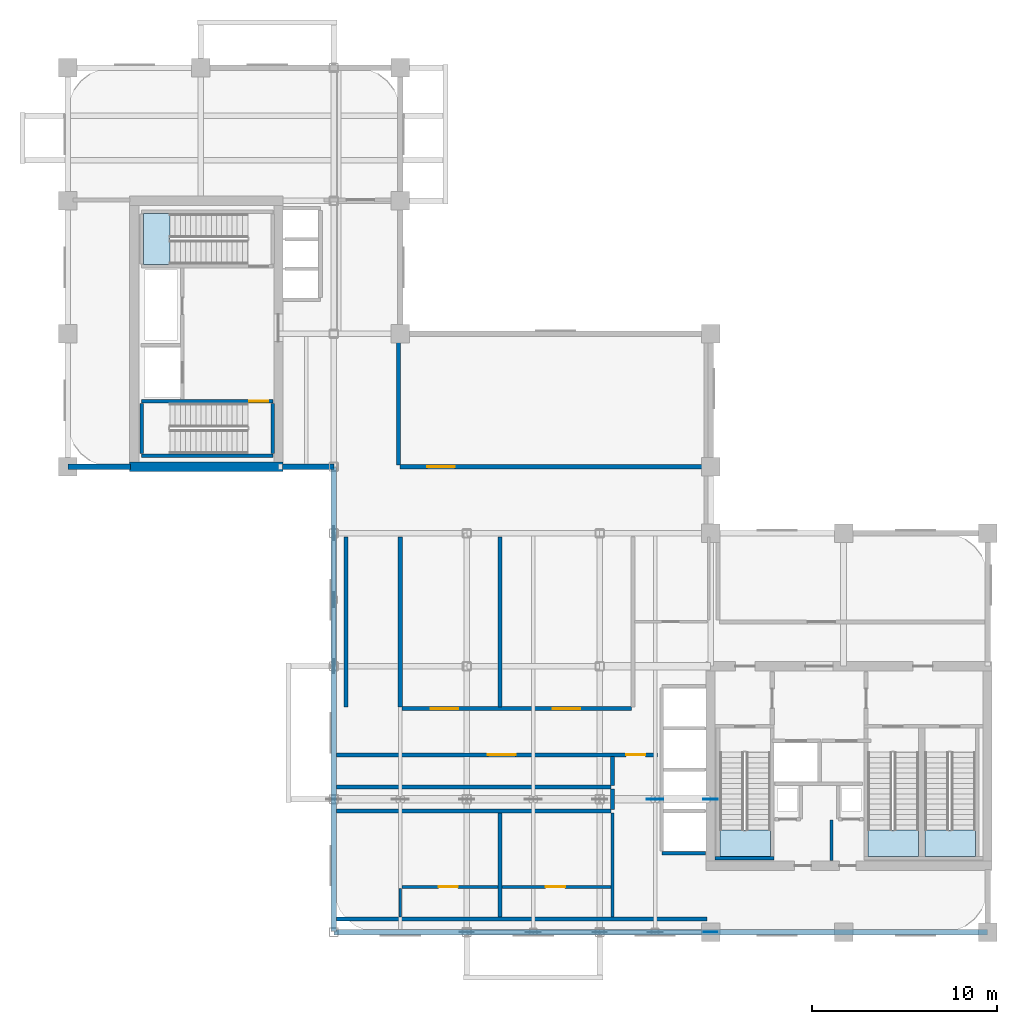
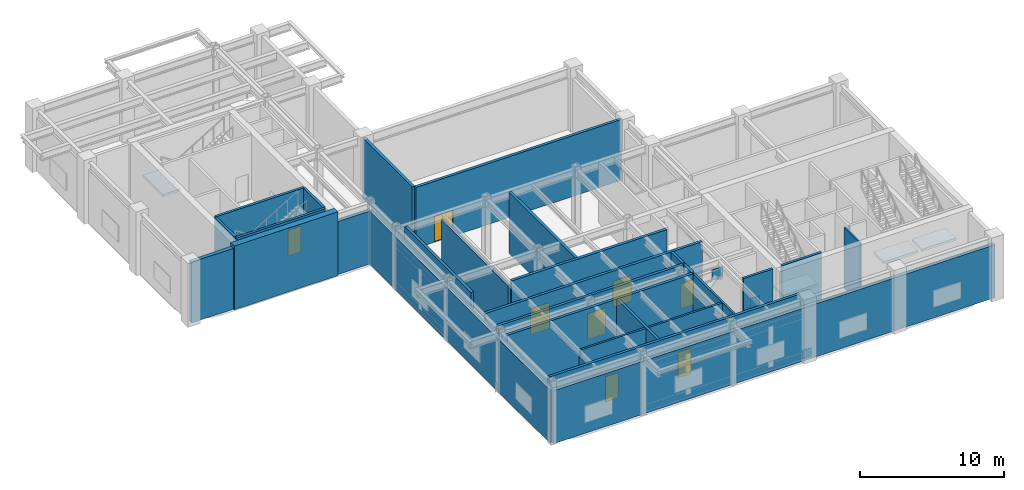
# One storey, part 5 of 10: 28 walls, 8 doors, 4 slabs, 3 plates, 8 openings, 4 elements without a shape of their own.
"""IFC4 building model written with IfcOpenShell, lengths in metres."""

from ifc_helpers import new_model, si_unit, derived_unit, direction, frame, frame_2d, origin, origin_2d, place, context, subcontext, project, spatial, polyline, rectangle, outline, extrude, source, transform, mapped, material, layer, layer_set, type_object, type_shapes, element, fill, aggregate, save


model = new_model("IFC4")

# Units and contexts
model_context = context("Model", 3, precision=1e-05, world=origin(), true_north=direction((0.0, 1.0)))
body_context = subcontext(model_context, "Body", "Model", "MODEL_VIEW")
ifc_project = project(units=[si_unit("LENGTHUNIT", "METRE"), si_unit("AREAUNIT", "SQUARE_METRE"), si_unit("VOLUMEUNIT", "CUBIC_METRE"), si_unit("PLANEANGLEUNIT", "RADIAN"), si_unit("MASSUNIT", "GRAM", prefix="KILO"), si_unit("THERMODYNAMICTEMPERATUREUNIT", "KELVIN"), si_unit("POWERUNIT", "WATT"), derived_unit("THERMALTRANSMITTANCEUNIT", [(si_unit("POWERUNIT", "WATT"), 1), (si_unit("AREAUNIT", "SQUARE_METRE"), -1), (si_unit("THERMODYNAMICTEMPERATUREUNIT", "KELVIN"), -1)])], contexts=[model_context])

# Site, building, storey
site_placement = place(None, origin())
site = spatial("IfcSite", under=ifc_project, at=site_placement, CompositionType="ELEMENT")
building_placement = place(site_placement, origin())
building = spatial("IfcBuilding", under=site, at=building_placement, Name="Zahravan Archway Hotel and Residences", CompositionType="ELEMENT")
storey_placement = place(building_placement, frame((0.0, 0.0, 196.5)))
storey = spatial("IfcBuildingStorey", under=building, at=storey_placement, Name="L49", CompositionType="ELEMENT", Elevation=196.5)

# Stair, slab
ifc_material_1 = material(Name="Concrete C50/60", Category="concrete")
stair_type = type_object("IfcStairType", Name="STR-CORE-1300", PredefinedType="HALF_TURN_STAIR", material=ifc_material_1)
stair_1_placement = place(storey_placement, origin())
stair_1 = element("IfcStair", 1, at=stair_1_placement, inside=storey, type_object=stair_type, Name="L49 Core A Exit Stair 1", PredefinedType="HALF_TURN_STAIR")
ifc_layer_1 = layer(ifc_material_1, 0.199951171875, Name="Concrete C50/60", Category="concrete")
ifc_layer_set_1 = layer_set([ifc_layer_1], Name="Concrete C50/60")
slab_type = type_object("IfcSlabType", Name="SLB-LND-200", PredefinedType="LANDING", material=ifc_layer_set_1)
slab_1_placement = place(storey_placement, frame((0.0, 0.0, 2.5)))
slab_1 = element("IfcSlab", 2, at=slab_1_placement, type_object=slab_type, Name="ST-A1 landing 1", PredefinedType="LANDING", context=body_context, shape_type="SweptSolid", body=[
    extrude(outline(polyline([(35.300048828125, 5.530029296875), (35.300048828125, 4.10009765625), (38.0400390625, 4.10009765625), (38.0400390625, 5.530029296875), (35.300048828125, 5.530029296875)])), origin(), (0.0, 0.0, 1.0), 0.199951171875),
])
aggregate(stair_1, [slab_1])

stair_2_placement = place(storey_placement, origin())
stair_2 = element("IfcStair", 3, at=stair_2_placement, inside=storey, type_object=stair_type, Name="L49 Core A Exit Stair 2", PredefinedType="HALF_TURN_STAIR")
slab_2_placement = place(storey_placement, frame((0.0, 0.0, 2.5)))
slab_2 = element("IfcSlab", 4, at=slab_2_placement, type_object=slab_type, Name="ST-A2 landing 1", PredefinedType="LANDING", context=body_context, shape_type="SweptSolid", body=[
    extrude(outline(polyline([(43.320068359375, 5.530029296875), (43.320068359375, 4.10009765625), (46.06005859375, 4.10009765625), (46.06005859375, 5.530029296875), (43.320068359375, 5.530029296875)])), origin(), (0.0, 0.0, 1.0), 0.199951171875),
])
aggregate(stair_2, [slab_2])

stair_3_placement = place(storey_placement, origin())
stair_3 = element("IfcStair", 5, at=stair_3_placement, inside=storey, type_object=stair_type, Name="L49 Core A Exit Stair 3", PredefinedType="HALF_TURN_STAIR")
slab_3_placement = place(storey_placement, frame((0.0, 0.0, 2.5)))
slab_3 = element("IfcSlab", 6, at=slab_3_placement, type_object=slab_type, Name="ST-A3 landing 1", PredefinedType="LANDING", context=body_context, shape_type="SweptSolid", body=[
    extrude(outline(polyline([(46.39990234375, 5.530029296875), (46.39990234375, 4.10009765625), (49.139892578125, 4.10009765625), (49.139892578125, 5.530029296875), (46.39990234375, 5.530029296875)])), origin(), (0.0, 0.0, 1.0), 0.199951171875),
])
aggregate(stair_3, [slab_3])

stair_4_placement = place(storey_placement, origin())
stair_4 = element("IfcStair", 7, at=stair_4_placement, inside=storey, type_object=stair_type, Name="L49 Core B Exit Stair 2", PredefinedType="HALF_TURN_STAIR")
slab_4_placement = place(storey_placement, frame((0.0, 0.0, 2.5)))
slab_4 = element("IfcSlab", 8, at=slab_4_placement, type_object=slab_type, Name="ST-B2 landing 1", PredefinedType="LANDING", context=body_context, shape_type="SweptSolid", body=[
    extrude(outline(polyline([(5.530029296875, 38.89990234375), (4.10009765625, 38.89990234375), (4.10009765625, 36.159912109375), (5.530029296875, 36.159912109375), (5.530029296875, 38.89990234375)])), origin(), (0.0, 0.0, 1.0), 0.199951171875),
])
aggregate(stair_4, [slab_4])

# Plates
ifc_material_2 = material(Name="Structural Steel S355J2", Category="steel")
ifc_layer_2 = layer(ifc_material_2, 0.035888671875, Name="Structural Steel S355J2", Category="steel")
ifc_layer_set_2 = layer_set([ifc_layer_2], Name="Structural Steel S355J2")
plate_type_1 = type_object("IfcPlateType", Name="PLT-GUS-ON2", PredefinedType="USERDEFINED", material=ifc_layer_set_2)
shared_shape_1 = source(origin(), body_context, "Body", "SweptSolid", [
    extrude(rectangle(XDim=0.800048828125, YDim=0.035888671875, at=origin_2d()), origin(), (0.0, 0.0, 1.0), 0.800048828125),
])
type_shapes(plate_type_1, [shared_shape_1])
plate_1_placement = place(storey_placement, frame((34.800048828125, 7.199951171875, 0.0498046875), z_axis=(0.0, 0.0, 1.0), x_axis=(1.0, 0.0, 0.0)))
element("IfcPlate", 9, at=plate_1_placement, inside=storey, type_object=plate_type_1, Name="L49 Outrigger End Gusset Plate ON2-3-R", ObjectType="GUSSET", PredefinedType="USERDEFINED", context=body_context, shape_type="MappedRepresentation", body=[
    mapped(shared_shape_1, transform((0.0, 0.0, 0.0), scale=1.0)),
])
ifc_layer_3 = layer(ifc_material_2, 0.035888671875, Name="Structural Steel S355J2", Category="steel")
ifc_layer_set_3 = layer_set([ifc_layer_3], Name="Structural Steel S355J2")
plate_type_2 = type_object("IfcPlateType", Name="PLT-GUS-ON1", PredefinedType="USERDEFINED", material=ifc_layer_set_3)
shared_shape_2 = source(origin(), body_context, "Body", "SweptSolid", [
    extrude(rectangle(XDim=0.89990234375, YDim=0.035888671875, at=origin_2d()), origin(), (0.0, 0.0, 1.0), 0.89990234375),
])
type_shapes(plate_type_2, [shared_shape_2])
plate_2_placement = place(storey_placement, frame((31.800048828125, 7.199951171875, 3.449951171875), z_axis=(0.0, 0.0, 1.0), x_axis=(1.0, 0.0, 0.0)))
element("IfcPlate", 10, at=plate_2_placement, inside=storey, type_object=plate_type_2, Name="L49 Outrigger Apex Gusset Plate ON1-3", ObjectType="GUSSET", PredefinedType="USERDEFINED", context=body_context, shape_type="MappedRepresentation", body=[
    mapped(shared_shape_2, transform((0.0, 0.0, 0.0), scale=1.0)),
])
ifc_layer_4 = layer(ifc_material_2, 0.031982421875, Name="Structural Steel S355J2", Category="steel")
ifc_layer_set_4 = layer_set([ifc_layer_4], Name="Structural Steel S355J2")
plate_type_3 = type_object("IfcPlateType", Name="PLT-GUS-BN2", PredefinedType="USERDEFINED", material=ifc_layer_set_4)
shared_shape_3 = source(origin(), body_context, "Body", "SweptSolid", [
    extrude(rectangle(XDim=0.75, YDim=0.031982421875, at=origin_2d()), origin(), (0.0, 0.0, 1.0), 0.75),
])
type_shapes(plate_type_3, [shared_shape_3])
plate_3_placement = place(storey_placement, frame((34.800048828125, 0.0, 0.074951171875), z_axis=(0.0, 0.0, 1.0), x_axis=(1.0, 0.0, 0.0)))
element("IfcPlate", 11, at=plate_3_placement, inside=storey, type_object=plate_type_3, Name="L49 Belt Truss End Gusset Plate BN2-2-B", ObjectType="GUSSET", PredefinedType="USERDEFINED", context=body_context, shape_type="MappedRepresentation", body=[
    mapped(shared_shape_3, transform((0.0, 0.0, 0.0), scale=1.0)),
])

# Walls
ifc_material_3 = material(Name="Concrete C60/75", Category="concrete")
ifc_layer_5 = layer(ifc_material_3, 0.5, Name="Concrete C60/75", Category="concrete")
ifc_layer_set_5 = layer_set([ifc_layer_5], Name="Concrete C60/75")
wall_type_1 = type_object("IfcWallType", Name="CW-CORE-500", PredefinedType="SHEAR", material=ifc_layer_set_5)
wall_1_placement = place(storey_placement, frame((3.35009765625, 25.199951171875, 0.0), z_axis=(0.0, 0.0, 1.0), x_axis=(1.0, 0.0, 0.0)))
element("IfcWall", 12, at=wall_1_placement, inside=storey, type_object=wall_type_1, Name="L49 Core B Shear S Wall 500 mm", PredefinedType="SHEAR", context=body_context, shape_type="SweptSolid", body=[
    extrude(rectangle(XDim=8.2998046875, YDim=0.5, at=frame_2d((4.14990234375, 0.0))), origin(), (0.0, 0.0, 1.0), 5.39990234375),
])
ifc_material_4 = material(Name="Acoustic Louvred Sandstone Backup Wall", Category="masonry")
ifc_layer_6 = layer(ifc_material_4, 0.300048828125, Name="Acoustic Louvred Sandstone Backup Wall", Category="masonry")
ifc_layer_set_6 = layer_set([ifc_layer_6], Name="Acoustic Louvred Sandstone Backup Wall")
wall_type_2 = type_object("IfcWallType", Name="EW-REF-300", PredefinedType="SOLIDWALL", material=ifc_layer_set_6)
wall_2_placement = place(storey_placement, frame((14.39990234375, 0.0, 0.0), z_axis=(0.0, 0.0, 1.0), x_axis=(1.0, 0.0, 0.0)))
element("IfcWall", 13, at=wall_2_placement, inside=storey, type_object=wall_type_2, Name="L49 Exterior Sandstone Wall WA-S", PredefinedType="SOLIDWALL", context=body_context, shape_type="SweptSolid", body=[
    extrude(rectangle(XDim=35.400146484375, YDim=0.300048828125, at=frame_2d((17.7001953125, 0.0))), origin(), (0.0, 0.0, 1.0), 4.485107421875),
])
wall_3_placement = place(storey_placement, frame((14.39990234375, 0.050048828125, 0.0), z_axis=(0.0, 0.0, 1.0), x_axis=(0.0, 1.0, 0.0)))
element("IfcWall", 14, at=wall_3_placement, inside=storey, type_object=wall_type_2, Name="L49 Exterior Sandstone Wall WA-WL", PredefinedType="SOLIDWALL", context=body_context, shape_type="SweptSolid", body=[
    extrude(rectangle(XDim=25.099853515625, YDim=0.300048828125, at=frame_2d((12.5498046875, 0.0))), origin(), (0.0, 0.0, 1.0), 4.485107421875),
])
wall_4_placement = place(storey_placement, frame((11.6201171875, 25.199951171875, 0.0), z_axis=(0.0, 0.0, 1.0), x_axis=(1.0, 0.0, 0.0)))
element("IfcWall", 15, at=wall_4_placement, inside=storey, type_object=wall_type_2, Name="L49 Exterior Sandstone Wall WB-SE", PredefinedType="SOLIDWALL", context=body_context, shape_type="SweptSolid", body=[
    extrude(rectangle(XDim=2.77978515625, YDim=0.300048828125, at=frame_2d((1.389892578125, 0.0))), origin(), (0.0, 0.0, 1.0), 4.485107421875),
])
wall_5_placement = place(storey_placement, frame((0.0, 25.199951171875, 0.0), z_axis=(0.0, 0.0, 1.0), x_axis=(1.0, 0.0, 0.0)))
element("IfcWall", 16, at=wall_5_placement, inside=storey, type_object=wall_type_2, Name="L49 Exterior Sandstone Wall WB-SW", PredefinedType="SOLIDWALL", context=body_context, shape_type="SweptSolid", body=[
    extrude(rectangle(XDim=3.3798828125, YDim=0.300048828125, at=frame_2d((1.68994140625, 0.0))), origin(), (0.0, 0.0, 1.0), 5.14990234375),
])
ifc_material_5 = material(Name="Fire-Rated Gypsum & Concrete Block", Category="concrete")
ifc_layer_7 = layer(ifc_material_5, 0.219970703125, Name="Fire-Rated Gypsum & Concrete Block", Category="concrete")
ifc_layer_set_7 = layer_set([ifc_layer_7], Name="Fire-Rated Gypsum & Concrete Block")
wall_type_3 = type_object("IfcWallType", Name="PW-COMP-220", PredefinedType="PARTITIONING", material=ifc_layer_set_7)
for number, where, z_axis, x_axis, name in (
    (17, (14.55810546875, 6.550048828125, 0.0), (0.0, 0.0, 1.0), (1.0, 0.0, 0.0), "L49 Partition L49-ROTS"),
    (18, (14.55810546875, 7.85009765625, 0.0), (0.0, 0.0, 1.0), (1.0, 0.0, 0.0), "L49 Partition L49-ROTN"),
):
    element("IfcWall", number, at=place(storey_placement, frame(where, z_axis=z_axis, x_axis=x_axis)), inside=storey, type_object=wall_type_3, Name=name, PredefinedType="PARTITIONING", context=body_context, shape_type="SweptSolid", body=[
        extrude(rectangle(XDim=14.851806640625, YDim=0.219970703125, at=frame_2d((7.42578125, 0.0))), origin(), (0.0, 0.0, 1.0), 5.14990234375),
    ])
wall_6_placement = place(storey_placement, frame((29.5, 6.639892578125, 0.0), z_axis=(0.0, 0.0, 1.0), x_axis=(0.0, 1.0, 0.0)))
element("IfcWall", 19, at=wall_6_placement, inside=storey, type_object=wall_type_3, Name="L49 Partition L49-ROTE", PredefinedType="PARTITIONING", context=body_context, shape_type="SweptSolid", body=[
    extrude(rectangle(XDim=1.1201171875, YDim=0.219970703125, at=frame_2d((0.56005859375, 0.0))), origin(), (0.0, 0.0, 1.0), 5.14990234375),
])
wall_7_placement = place(storey_placement, frame((15.050048828125, 12.18994140625, 0.0), z_axis=(0.0, 0.0, 1.0), x_axis=(0.0, 1.0, 0.0)))
element("IfcWall", 20, at=wall_7_placement, inside=storey, type_object=wall_type_3, Name="L49 Partition L49-RBTW", PredefinedType="PARTITIONING", context=body_context, shape_type="SweptSolid", body=[
    extrude(rectangle(XDim=9.219970703125, YDim=0.219970703125, at=frame_2d((4.60986328125, 0.0))), origin(), (0.0, 0.0, 1.0), 5.14990234375),
])

# Wall, openings, doors
wall_8_placement = place(storey_placement, frame((14.55810546875, 9.60009765625, 0.0), z_axis=(0.0, 0.0, 1.0), x_axis=(1.0, 0.0, 0.0)))
wall_8 = element("IfcWall", 21, at=wall_8_placement, inside=storey, type_object=wall_type_3, Name="L49 Partition L49-RCS", PredefinedType="PARTITIONING", context=body_context, shape_type="SweptSolid", body=[
    extrude(rectangle(XDim=17.371826171875, YDim=0.219970703125, at=frame_2d((8.68603515625, 0.0))), origin(), (0.0, 0.0, 1.0), 5.14990234375),
])
opening_1_placement = place(wall_8_placement, frame((15.6669921875, 0.0, 0.0)))
opening_1 = element("IfcOpeningElement", 22, at=opening_1_placement, cuts=wall_8, Name="Opening FD-L2", PredefinedType="OPENING", context=body_context, shape_type="SweptSolid", body=[
    extrude(rectangle(XDim=1.050048828125, YDim=2.14990234375, at=frame_2d((0.52490234375, 1.074951171875))), frame((0.0, 0.1201171875, 0.0), z_axis=(0.0, -1.0, 0.0), x_axis=(1.0, 0.0, 0.0)), (0.0, 0.0, 1.0), 0.239990234375),
])
opening_2_placement = place(wall_8_placement, frame((8.19189453125, 0.0, 0.0)))
opening_2 = element("IfcOpeningElement", 23, at=opening_2_placement, cuts=wall_8, Name="Opening FD-L1", PredefinedType="OPENING", context=body_context, shape_type="SweptSolid", body=[
    extrude(rectangle(XDim=1.5, YDim=2.199951171875, at=frame_2d((0.75, 1.10009765625))), frame((0.0, 0.1201171875, 0.0), z_axis=(0.0, -1.0, 0.0), x_axis=(1.0, 0.0, 0.0)), (0.0, 0.0, 1.0), 0.239990234375),
])
ifc_material_6 = material(Name="Fire-Rated Painted Steel", Category="steel")
door_type_1 = type_object("IfcDoorType", Name="FD-LOBBY-1100", OperationType="NOTDEFINED", PredefinedType="DOOR", material=ifc_material_6)
shared_shape_4 = source(origin(), body_context, "Body", "SweptSolid", [
    extrude(rectangle(XDim=1.050048828125, YDim=2.14990234375, at=frame_2d((0.52490234375, 1.074951171875))), frame((0.0, 0.02490234375, 0.0), z_axis=(0.0, -1.0, 0.0), x_axis=(1.0, 0.0, 0.0)), (0.0, 0.0, 1.0), 0.050048828125),
])
type_shapes(door_type_1, [shared_shape_4])
door_1_placement = place(opening_1_placement, origin())
door_1 = element("IfcDoor", 24, at=door_1_placement, inside=storey, type_object=door_type_1, Name="L49 South Riser Passage to Refuge Lobby Door", OperationType="SINGLE_SWING_RIGHT", OverallHeight=2.14990234375, OverallWidth=1.050048828125, PredefinedType="DOOR", context=body_context, shape_type="MappedRepresentation", body=[
    mapped(shared_shape_4, transform((0.0, 0.0, 0.0), scale=1.0)),
])
fill(opening_1, door_1)
door_type_2 = type_object("IfcDoorType", Name="FD-LOBBY-1500", OperationType="DOUBLE_DOOR_SINGLE_SWING", PredefinedType="DOOR", material=ifc_material_6)
shared_shape_5 = source(origin(), body_context, "Body", "SweptSolid", [
    extrude(rectangle(XDim=1.5, YDim=2.199951171875, at=frame_2d((0.75, 1.10009765625))), frame((0.0, 0.02490234375, 0.0), z_axis=(0.0, -1.0, 0.0), x_axis=(1.0, 0.0, 0.0)), (0.0, 0.0, 1.0), 0.050048828125),
])
type_shapes(door_type_2, [shared_shape_5])
door_2_placement = place(opening_2_placement, origin())
door_2 = element("IfcDoor", 25, at=door_2_placement, inside=storey, type_object=door_type_2, Name="L49 AHU Mechanical Plant Door", OperationType="DOUBLE_DOOR_SINGLE_SWING", OverallHeight=2.199951171875, OverallWidth=1.5, PredefinedType="DOOR", context=body_context, shape_type="MappedRepresentation", body=[
    mapped(shared_shape_5, transform((0.0, 0.0, 0.0), scale=1.0)),
])
fill(opening_2, door_2)

wall_9_placement = place(storey_placement, frame((18.090087890625, 12.10009765625, 0.0), z_axis=(0.0, 0.0, 1.0), x_axis=(1.0, 0.0, 0.0)))
wall_9 = element("IfcWall", 26, at=wall_9_placement, inside=storey, type_object=wall_type_3, Name="L49 Partition L49-RCN", PredefinedType="PARTITIONING", context=body_context, shape_type="SweptSolid", body=[
    extrude(rectangle(XDim=12.419921875, YDim=0.219970703125, at=frame_2d((6.2099609375, 0.0))), origin(), (0.0, 0.0, 1.0), 5.14990234375),
])
opening_3_placement = place(wall_9_placement, frame((1.56005859375, 0.0, 0.0)))
opening_3 = element("IfcOpeningElement", 27, at=opening_3_placement, cuts=wall_9, Name="Opening FD-L1", PredefinedType="OPENING", context=body_context, shape_type="SweptSolid", body=[
    extrude(rectangle(XDim=1.5, YDim=2.199951171875, at=frame_2d((0.75, 1.10009765625))), frame((0.0, 0.1201171875, 0.0), z_axis=(0.0, -1.0, 0.0), x_axis=(1.0, 0.0, 0.0)), (0.0, 0.0, 1.0), 0.239990234375),
])
opening_4_placement = place(wall_9_placement, frame((8.159912109375, 0.0, 0.0)))
opening_4 = element("IfcOpeningElement", 28, at=opening_4_placement, cuts=wall_9, Name="Opening FD-L1", PredefinedType="OPENING", context=body_context, shape_type="SweptSolid", body=[
    extrude(rectangle(XDim=1.5, YDim=2.199951171875, at=frame_2d((0.75, 1.10009765625))), frame((0.0, 0.1201171875, 0.0), z_axis=(0.0, -1.0, 0.0), x_axis=(1.0, 0.0, 0.0)), (0.0, 0.0, 1.0), 0.239990234375),
])
door_3_placement = place(opening_3_placement, origin())
door_3 = element("IfcDoor", 29, at=door_3_placement, inside=storey, type_object=door_type_2, Name="L49 West Protected Refuge Door", OperationType="DOUBLE_DOOR_SINGLE_SWING", OverallHeight=2.199951171875, OverallWidth=1.5, PredefinedType="DOOR", context=body_context, shape_type="MappedRepresentation", body=[
    mapped(shared_shape_5, transform((0.0, 0.0, 0.0), scale=1.0)),
])
fill(opening_3, door_3)
door_4_placement = place(opening_4_placement, origin())
door_4 = element("IfcDoor", 30, at=door_4_placement, inside=storey, type_object=door_type_2, Name="L49 East Protected Refuge Door", OperationType="DOUBLE_DOOR_SINGLE_SWING", OverallHeight=2.199951171875, OverallWidth=1.5, PredefinedType="DOOR", context=body_context, shape_type="MappedRepresentation", body=[
    mapped(shared_shape_5, transform((0.0, 0.0, 0.0), scale=1.0)),
])
fill(opening_4, door_4)

# Walls
wall_10_placement = place(storey_placement, frame((14.55810546875, 0.719970703125, 0.0), z_axis=(0.0, 0.0, 1.0), x_axis=(1.0, 0.0, 0.0)))
element("IfcWall", 31, at=wall_10_placement, inside=storey, type_object=wall_type_3, Name="L49 Partition L49-RPSB", PredefinedType="PARTITIONING", context=body_context, shape_type="SweptSolid", body=[
    extrude(rectangle(XDim=20.052001953125, YDim=0.219970703125, at=frame_2d((10.02587890625, 0.0))), origin(), (0.0, 0.0, 1.0), 5.14990234375),
])
wall_11_placement = place(storey_placement, frame((23.39990234375, 0.81005859375, 0.0), z_axis=(0.0, 0.0, 1.0), x_axis=(0.0, 1.0, 0.0)))
element("IfcWall", 32, at=wall_11_placement, inside=storey, type_object=wall_type_3, Name="L49 Partition L49-RPSV", PredefinedType="PARTITIONING", context=body_context, shape_type="SweptSolid", body=[
    extrude(rectangle(XDim=5.64990234375, YDim=0.219970703125, at=frame_2d((2.824951171875, 0.0))), origin(), (0.0, 0.0, 1.0), 5.14990234375),
])
wall_12_placement = place(storey_placement, frame((29.5, 7.93994140625, 0.0), z_axis=(0.0, 0.0, 1.0), x_axis=(0.0, 1.0, 0.0)))
element("IfcWall", 33, at=wall_12_placement, inside=storey, type_object=wall_type_3, Name="L49 Partition L49-RPNW", PredefinedType="PARTITIONING", context=body_context, shape_type="SweptSolid", body=[
    extrude(rectangle(XDim=1.570068359375, YDim=0.219970703125, at=frame_2d((0.78515625, 0.0))), origin(), (0.0, 0.0, 1.0), 5.14990234375),
])
wall_13_placement = place(storey_placement, frame((18.0, 12.18994140625, 0.0), z_axis=(0.0, 0.0, 1.0), x_axis=(0.0, 1.0, 0.0)))
element("IfcWall", 34, at=wall_13_placement, inside=storey, type_object=wall_type_3, Name="L49 Partition L49-RWW", PredefinedType="PARTITIONING", context=body_context, shape_type="SweptSolid", body=[
    extrude(rectangle(XDim=9.219970703125, YDim=0.219970703125, at=frame_2d((4.60986328125, 0.0))), origin(), (0.0, 0.0, 1.0), 4.68505859375),
])
wall_14_placement = place(storey_placement, frame((23.39990234375, 12.18994140625, 0.0), z_axis=(0.0, 0.0, 1.0), x_axis=(0.0, 1.0, 0.0)))
element("IfcWall", 35, at=wall_14_placement, inside=storey, type_object=wall_type_3, Name="L49 Partition L49-RWM", PredefinedType="PARTITIONING", context=body_context, shape_type="SweptSolid", body=[
    extrude(rectangle(XDim=9.219970703125, YDim=0.219970703125, at=frame_2d((4.60986328125, 0.0))), origin(), (0.0, 0.0, 1.0), 5.14990234375),
])

# Wall, opening, door
wall_15_placement = place(storey_placement, frame((17.989990234375, 25.199951171875, 0.0), z_axis=(0.0, 0.0, 1.0), x_axis=(1.0, 0.0, 0.0)))
wall_15 = element("IfcWall", 36, at=wall_15_placement, inside=storey, type_object=wall_type_3, Name="L49 Partition L49-RWBS", PredefinedType="PARTITIONING", context=body_context, shape_type="SweptSolid", body=[
    extrude(rectangle(XDim=16.469970703125, YDim=0.219970703125, at=frame_2d((8.23486328125, 0.0))), origin(), (0.0, 0.0, 1.0), 5.14990234375),
])
opening_5_placement = place(wall_15_placement, frame((1.4599609375, 0.0, 0.0)))
opening_5 = element("IfcOpeningElement", 37, at=opening_5_placement, cuts=wall_15, Name="Opening FD-L1", PredefinedType="OPENING", context=body_context, shape_type="SweptSolid", body=[
    extrude(rectangle(XDim=1.5, YDim=2.199951171875, at=frame_2d((0.75, 1.10009765625))), frame((0.0, 0.1201171875, 0.0), z_axis=(0.0, -1.0, 0.0), x_axis=(1.0, 0.0, 0.0)), (0.0, 0.0, 1.0), 0.239990234375),
])
door_5_placement = place(opening_5_placement, origin())
door_5 = element("IfcDoor", 38, at=door_5_placement, inside=storey, type_object=door_type_2, Name="L49 North Protected Refuge Door", OperationType="DOUBLE_DOOR_SINGLE_SWING", OverallHeight=2.199951171875, OverallWidth=1.5, PredefinedType="DOOR", context=body_context, shape_type="MappedRepresentation", body=[
    mapped(shared_shape_5, transform((0.0, 0.0, 0.0), scale=1.0)),
])
fill(opening_5, door_5)

# Walls
wall_16_placement = place(storey_placement, frame((17.89990234375, 25.2900390625, 0.0), z_axis=(0.0, 0.0, 1.0), x_axis=(0.0, 1.0, 0.0)))
element("IfcWall", 39, at=wall_16_placement, inside=storey, type_object=wall_type_3, Name="L49 Partition L49-RWBW", PredefinedType="PARTITIONING", context=body_context, shape_type="SweptSolid", body=[
    extrude(rectangle(XDim=6.869873046875, YDim=0.219970703125, at=frame_2d((3.43505859375, 0.0))), origin(), (0.0, 0.0, 1.0), 5.14990234375),
])
ifc_layer_8 = layer(ifc_material_5, 0.159912109375, Name="Fire-Rated Gypsum & Concrete Block", Category="concrete")
ifc_layer_set_8 = layer_set([ifc_layer_8], Name="Fire-Rated Gypsum & Concrete Block")
wall_type_4 = type_object("IfcWallType", Name="PW-CORR-160", PredefinedType="PARTITIONING", material=ifc_layer_set_8)
wall_17_placement = place(storey_placement, frame((29.5, 0.81005859375, 0.0), z_axis=(0.0, 0.0, 1.0), x_axis=(0.0, 1.0, 0.0)))
element("IfcWall", 40, at=wall_17_placement, inside=storey, type_object=wall_type_4, Name="L49 Partition L49-RSR", PredefinedType="PARTITIONING", context=body_context, shape_type="SweptSolid", body=[
    extrude(rectangle(XDim=5.64990234375, YDim=0.159912109375, at=frame_2d((2.824951171875, 0.0))), origin(), (0.0, 0.0, 1.0), 5.14990234375),
])

# Wall, openings, doors
wall_18_placement = place(storey_placement, frame((18.090087890625, 2.449951171875, 0.0), z_axis=(0.0, 0.0, 1.0), x_axis=(1.0, 0.0, 0.0)))
wall_18 = element("IfcWall", 41, at=wall_18_placement, inside=storey, type_object=wall_type_4, Name="L49 Partition L49-RSPN", PredefinedType="PARTITIONING", context=body_context, shape_type="SweptSolid", body=[
    extrude(rectangle(XDim=11.31982421875, YDim=0.159912109375, at=frame_2d((5.659912109375, 0.0))), origin(), (0.0, 0.0, 1.0), 5.14990234375),
])
opening_6_placement = place(wall_18_placement, frame((1.985107421875, 0.0, 0.0)))
opening_6 = element("IfcOpeningElement", 42, at=opening_6_placement, cuts=wall_18, Name="Opening FD-L2", PredefinedType="OPENING", context=body_context, shape_type="SweptSolid", body=[
    extrude(rectangle(XDim=1.050048828125, YDim=2.14990234375, at=frame_2d((0.52490234375, 1.074951171875))), frame((0.0, 0.08984375, 0.0), z_axis=(0.0, -1.0, 0.0), x_axis=(1.0, 0.0, 0.0)), (0.0, 0.0, 1.0), 0.179931640625),
])
opening_7_placement = place(wall_18_placement, frame((7.784912109375, 0.0, 0.0)))
opening_7 = element("IfcOpeningElement", 43, at=opening_7_placement, cuts=wall_18, Name="Opening FD-L2", PredefinedType="OPENING", context=body_context, shape_type="SweptSolid", body=[
    extrude(rectangle(XDim=1.050048828125, YDim=2.14990234375, at=frame_2d((0.52490234375, 1.074951171875))), frame((0.0, 0.08984375, 0.0), z_axis=(0.0, -1.0, 0.0), x_axis=(1.0, 0.0, 0.0)), (0.0, 0.0, 1.0), 0.179931640625),
])
door_6_placement = place(opening_6_placement, origin())
door_6 = element("IfcDoor", 44, at=door_6_placement, inside=storey, type_object=door_type_1, Name="L49 Chiller & Pump Plant Door", OperationType="SINGLE_SWING_LEFT", OverallHeight=2.14990234375, OverallWidth=1.050048828125, PredefinedType="DOOR", context=body_context, shape_type="MappedRepresentation", body=[
    mapped(shared_shape_4, transform((0.0, 0.0, 0.0), scale=1.0)),
])
fill(opening_6, door_6)
door_7_placement = place(opening_7_placement, origin())
door_7 = element("IfcDoor", 45, at=door_7_placement, inside=storey, type_object=door_type_1, Name="L49 Switchgear & MEP Plant Door", OperationType="SINGLE_SWING_RIGHT", OverallHeight=2.14990234375, OverallWidth=1.050048828125, PredefinedType="DOOR", context=body_context, shape_type="MappedRepresentation", body=[
    mapped(shared_shape_4, transform((0.0, 0.0, 0.0), scale=1.0)),
])
fill(opening_7, door_7)

# Walls
wall_19_placement = place(storey_placement, frame((18.0, 0.81005859375, 0.0), z_axis=(0.0, 0.0, 1.0), x_axis=(0.0, 1.0, 0.0)))
element("IfcWall", 46, at=wall_19_placement, inside=storey, type_object=wall_type_4, Name="L49 Partition L49-RSPW", PredefinedType="PARTITIONING", context=body_context, shape_type="SweptSolid", body=[
    extrude(rectangle(XDim=1.550048828125, YDim=0.159912109375, at=frame_2d((0.77490234375, 0.0))), origin(), (0.0, 0.0, 1.0), 4.68505859375),
])
ifc_layer_9 = layer(ifc_material_5, 0.199951171875, Name="Fire-Rated Gypsum & Concrete Block", Category="concrete")
ifc_layer_set_9 = layer_set([ifc_layer_9], Name="Fire-Rated Gypsum & Concrete Block")
wall_type_5 = type_object("IfcWallType", Name="PW-SHAFT-200", PredefinedType="PARTITIONING", material=ifc_layer_set_9)
wall_20_placement = place(storey_placement, frame((32.159912109375, 4.280029296875, 0.0), z_axis=(0.0, 0.0, 1.0), x_axis=(1.0, 0.0, 0.0)))
element("IfcWall", 47, at=wall_20_placement, inside=storey, type_object=wall_type_5, Name="L49 Partition B3-S", PredefinedType="PARTITIONING", context=body_context, shape_type="SweptSolid", body=[
    extrude(rectangle(XDim=2.360107421875, YDim=0.199951171875, at=frame_2d((1.18017578125, 0.0))), origin(), (0.0, 0.0, 1.0), 5.14990234375),
])
ifc_material_7 = material(Name="Moisture-Resistant Blockwork", Category="masonry")
ifc_layer_10 = layer(ifc_material_7, 0.139892578125, Name="Moisture-Resistant Blockwork", Category="masonry")
ifc_layer_set_10 = layer_set([ifc_layer_10], Name="Moisture-Resistant Blockwork")
wall_type_6 = type_object("IfcWallType", Name="PW-WET-140", PredefinedType="PARTITIONING", material=ifc_layer_set_10)
wall_21_placement = place(storey_placement, frame((41.35009765625, 3.8701171875, 0.0), z_axis=(0.0, 0.0, 1.0), x_axis=(0.0, 1.0, 0.0)))
element("IfcWall", 48, at=wall_21_placement, inside=storey, type_object=wall_type_6, Name="L49 Partition CA-CV3", PredefinedType="PARTITIONING", context=body_context, shape_type="SweptSolid", body=[
    extrude(rectangle(XDim=2.2099609375, YDim=0.139892578125, at=frame_2d((1.10498046875, 0.0))), origin(), (0.0, 0.0, 1.0), 5.14990234375),
])
ifc_layer_11 = layer(ifc_material_1, 0.199951171875, Name="Concrete C50/60", Category="concrete")
ifc_layer_set_11 = layer_set([ifc_layer_11], Name="Concrete C50/60")
wall_type_7 = type_object("IfcWallType", Name="SW-STAIR-200", PredefinedType="SHEAR", material=ifc_layer_set_11)
wall_22_placement = place(storey_placement, frame((35.050048828125, 4.0, 0.0), z_axis=(0.0, 0.0, 1.0), x_axis=(1.0, 0.0, 0.0)))
element("IfcWall", 49, at=wall_22_placement, inside=storey, type_object=wall_type_7, Name="L49 Stairwell RC Wall CA-SA1S", PredefinedType="SHEAR", context=body_context, shape_type="SweptSolid", body=[
    extrude(rectangle(XDim=3.18994140625, YDim=0.199951171875, at=frame_2d((1.594970703125, 0.0))), origin(), (0.0, 0.0, 1.0), 5.39990234375),
])
wall_23_placement = place(storey_placement, frame((4.0, 25.800048828125, 0.0), z_axis=(0.0, 0.0, 1.0), x_axis=(1.0, 0.0, 0.0)))
element("IfcWall", 50, at=wall_23_placement, inside=storey, type_object=wall_type_7, Name="L49 Stairwell RC Wall CB-SB1S", PredefinedType="SHEAR", context=body_context, shape_type="SweptSolid", body=[
    extrude(rectangle(XDim=7.10009765625, YDim=0.199951171875, at=frame_2d((3.550048828125, 0.0))), origin(), (0.0, 0.0, 1.0), 5.39990234375),
])
for number, where, z_axis, x_axis, name in (
    (51, (4.0, 25.919921875, 0.0), (0.0, 0.0, 1.0), (0.0, 1.0, 0.0), "L49 Stairwell RC Wall CB-SB1W"),
    (52, (11.10009765625, 25.919921875, 0.0), (0.0, 0.0, 1.0), (0.0, 1.0, 0.0), "L49 Stairwell RC Wall CB-SB1E"),
):
    element("IfcWall", number, at=place(storey_placement, frame(where, z_axis=z_axis, x_axis=x_axis)), inside=storey, type_object=wall_type_7, Name=name, PredefinedType="SHEAR", context=body_context, shape_type="SweptSolid", body=[
        extrude(rectangle(XDim=2.7001953125, YDim=0.199951171875, at=frame_2d((1.35009765625, 0.0))), origin(), (0.0, 0.0, 1.0), 5.39990234375),
    ])

# Wall, opening, door
wall_24_placement = place(storey_placement, frame((4.0, 28.739990234375, 0.0), z_axis=(0.0, 0.0, 1.0), x_axis=(1.0, 0.0, 0.0)))
wall_24 = element("IfcWall", 53, at=wall_24_placement, inside=storey, type_object=wall_type_7, Name="L49 Stairwell RC Wall CB-SB1N", PredefinedType="SHEAR", context=body_context, shape_type="SweptSolid", body=[
    extrude(rectangle(XDim=7.10009765625, YDim=0.199951171875, at=frame_2d((3.550048828125, 0.0))), origin(), (0.0, 0.0, 1.0), 5.39990234375),
])
opening_8_placement = place(wall_24_placement, frame((5.81494140625, 0.0, 0.0)))
opening_8 = element("IfcOpeningElement", 54, at=opening_8_placement, cuts=wall_24, Name="Opening FD-S1", PredefinedType="OPENING", context=body_context, shape_type="SweptSolid", body=[
    extrude(rectangle(XDim=1.050048828125, YDim=2.199951171875, at=frame_2d((0.52490234375, 1.10009765625))), frame((0.0, 0.10986328125, 0.0), z_axis=(0.0, -1.0, 0.0), x_axis=(1.0, 0.0, 0.0)), (0.0, 0.0, 1.0), 0.219970703125),
])
door_type_3 = type_object("IfcDoorType", Name="FD-STAIR-1100", OperationType="NOTDEFINED", PredefinedType="DOOR", material=ifc_material_6)
shared_shape_6 = source(origin(), body_context, "Body", "SweptSolid", [
    extrude(rectangle(XDim=1.050048828125, YDim=2.199951171875, at=frame_2d((0.52490234375, 1.10009765625))), frame((0.0, 0.02490234375, 0.0), z_axis=(0.0, -1.0, 0.0), x_axis=(1.0, 0.0, 0.0)), (0.0, 0.0, 1.0), 0.050048828125),
])
type_shapes(door_type_3, [shared_shape_6])
door_8_placement = place(opening_8_placement, origin())
door_8 = element("IfcDoor", 55, at=door_8_placement, inside=storey, type_object=door_type_3, Name="L49 Stair ST-B1 Door", OperationType="SINGLE_SWING_LEFT", OverallHeight=2.199951171875, OverallWidth=1.050048828125, PredefinedType="DOOR", context=body_context, shape_type="MappedRepresentation", body=[
    mapped(shared_shape_6, transform((0.0, 0.0, 0.0), scale=1.0)),
])
fill(opening_8, door_8)

save(model, "model.ifc")
